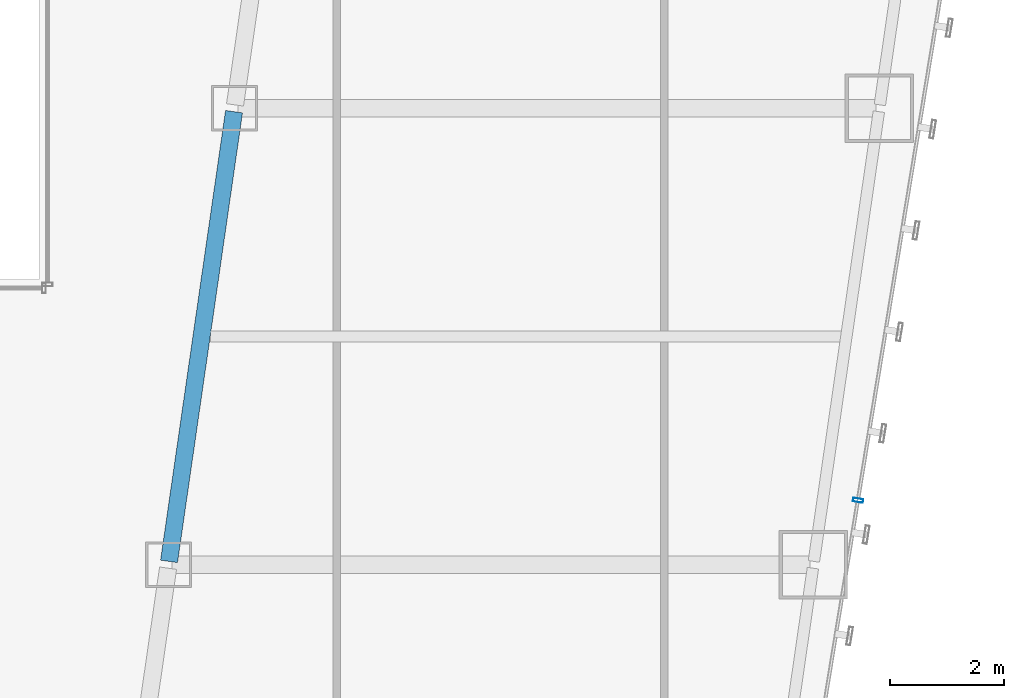
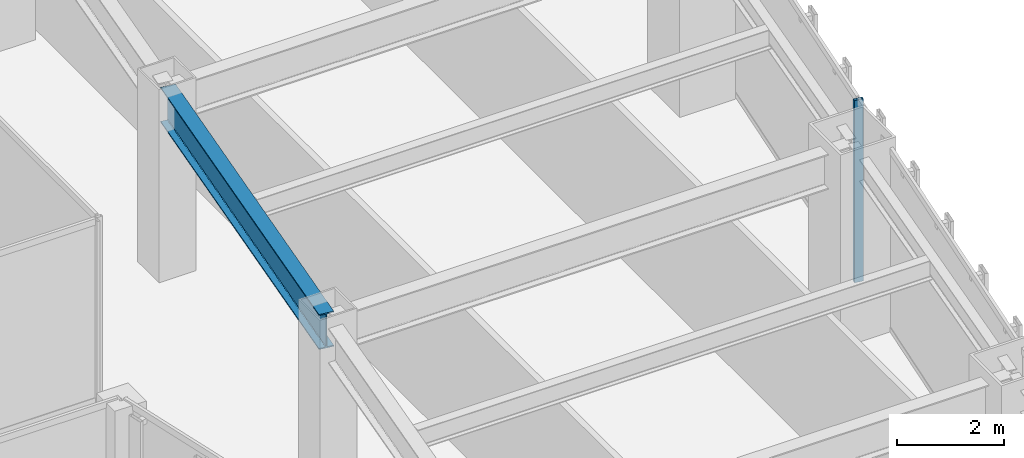
# One storey, part 17 of 47: 1 beam, 1 member, 1 element without a shape of its own.
"""IFC4 building model written with IfcOpenShell, lengths in metres."""

from ifc_helpers import new_model, si_unit, direction, frame, origin, origin_2d, place, context, subcontext, project, spatial, hollow_rectangle, i_section, extrude, material, material_profile, profile_set, type_object, element, aggregate, save


model = new_model("IFC4")

# Units and contexts
model_context = context("Model", 3, precision=1e-05, world=origin(), true_north=direction((0.0, 1.0)))
body_context = subcontext(model_context, "Body", "Model", "MODEL_VIEW")
ifc_project = project(units=[si_unit("LENGTHUNIT", "METRE"), si_unit("AREAUNIT", "SQUARE_METRE"), si_unit("VOLUMEUNIT", "CUBIC_METRE"), si_unit("PLANEANGLEUNIT", "RADIAN"), si_unit("MASSUNIT", "GRAM", prefix="KILO")], contexts=[model_context])

# Site, building, storey
site_placement = place(None, origin())
site = spatial("IfcSite", under=ifc_project, at=site_placement, CompositionType="ELEMENT")
building_placement = place(site_placement, origin())
building = spatial("IfcBuilding", under=site, at=building_placement, Name="Saevonmaru Cultural Tower", CompositionType="ELEMENT")
storey_placement = place(building_placement, frame((0.0, 0.0, 69.199951171875)))
storey = spatial("IfcBuildingStorey", under=building, at=storey_placement, Name="L14", CompositionType="ELEMENT", Elevation=69.199951171875)

# Beam
ifc_material_1 = material(Name="Steel SM420", Category="steel")
ifc_material_profile_1 = material_profile(ifc_material_1, i_section(OverallWidth=0.300048828125, OverallDepth=0.800048828125, WebThickness=0.013916015625, FlangeThickness=0.02587890625, FilletRadius=0.028076171875, at=origin_2d()), Name="H-800x300x14x26")
ifc_profile_set_1 = profile_set([ifc_material_profile_1], Name="Steel SM420")
beam_type = type_object("IfcBeamType", Name="BM-G-H800", PredefinedType="BEAM", material=ifc_profile_set_1)
beam_placement = place(storey_placement, frame((38.08056640625, 16.059326171875, 3.75), z_axis=(0.143022161059, 0.989719486241, 0.0), x_axis=(-0.989719486241, 0.143022161059, 0.0)))
element("IfcBeam", 1, at=beam_placement, inside=storey, type_object=beam_type, Name="L14 East Atrium Girder 3", PredefinedType="BEAM", context=body_context, shape_type="SweptSolid", body=[
    extrude(i_section(OverallWidth=0.300048828125, OverallDepth=0.800048828125, WebThickness=0.013916015625, FlangeThickness=0.02587890625, FilletRadius=0.028076171875, at=origin_2d()), origin(), (0.0, 0.0, 1.0), 7.963134765625),
])

# Curtain wall, member
ifc_material_2 = material(Name="Satin Bronze Anodised Aluminium", Category="aluminium")
curtain_wall_type = type_object("IfcCurtainWallType", Name="CW-TYP-A", PredefinedType="NOTDEFINED", material=ifc_material_2)
curtain_wall_placement = place(storey_placement, origin())
curtain_wall = element("IfcCurtainWall", 2, at=curtain_wall_placement, inside=storey, type_object=curtain_wall_type, Name="L14 Unitised Curtain Wall E8", PredefinedType="NOTDEFINED")
ifc_material_profile_2 = material_profile(ifc_material_2, hollow_rectangle(XDim=0.06494140625, YDim=0.179931640625, WallThickness=0.00390625, at=origin_2d()), Name="ALU-MULL-180x65x4")
ifc_profile_set_2 = profile_set([ifc_material_profile_2], Name="Satin Bronze Anodised Aluminium")
member_type = type_object("IfcMemberType", Name="ML-CW-180x65", PredefinedType="MULLION", material=ifc_profile_set_2)
member_placement = place(storey_placement, frame((50.15478515625, 17.129638671875, 0.0), z_axis=(0.0, 0.0, 1.0), x_axis=(0.161708868641, 0.986838508472, 0.0)))
member = element("IfcMember", 3, at=member_placement, type_object=member_type, Name="CW-TW-L14-E8 mullion 2", PredefinedType="MULLION", context=body_context, shape_type="SweptSolid", body=[
    extrude(hollow_rectangle(XDim=0.06494140625, YDim=0.179931640625, WallThickness=0.00390625, at=origin_2d()), origin(), (0.0, 0.0, 1.0), 4.150146484375),
])
aggregate(curtain_wall, [member])

save(model, "model.ifc")
